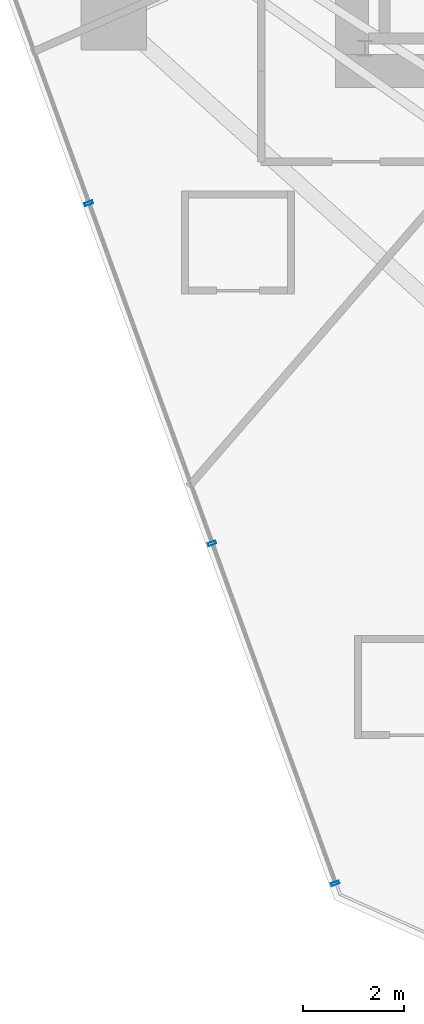
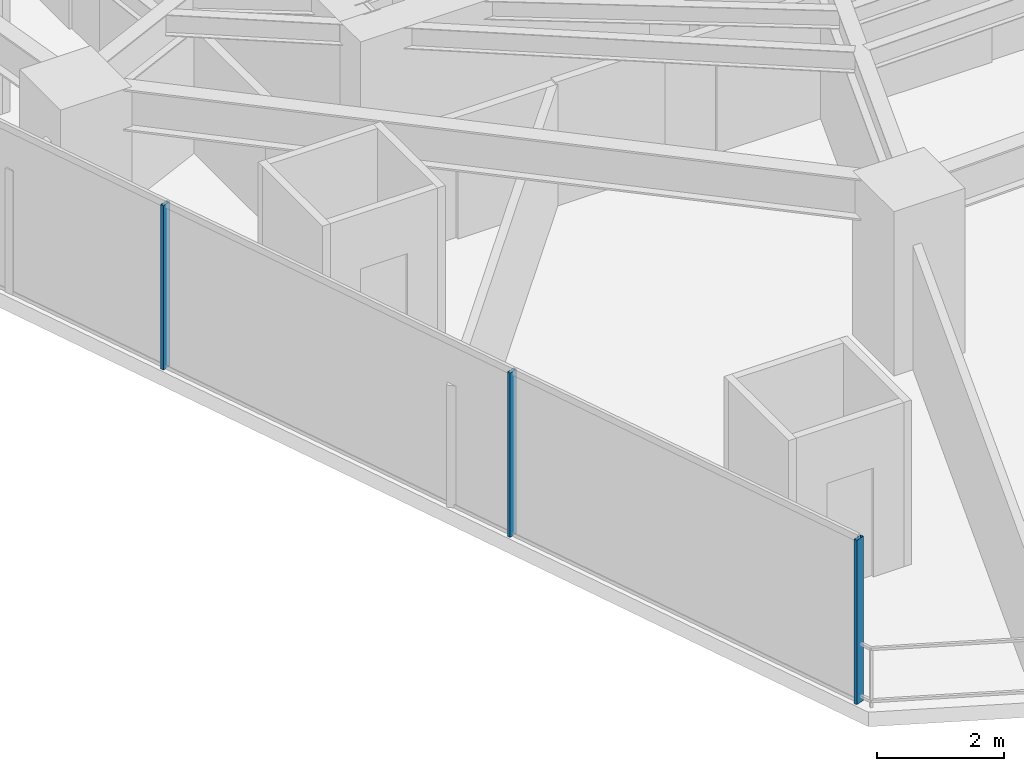
# One storey, part 3 of 33: 3 members, 1 element without a shape of its own.
"""IFC4 building model written with IfcOpenShell, lengths in metres."""

from ifc_helpers import new_model, si_unit, direction, frame, origin, origin_2d, place, context, subcontext, project, spatial, hollow_rectangle, extrude, material, layer, layer_set, material_profile, profile_set, type_object, element, aggregate, save


model = new_model("IFC4")

# Units and contexts
model_context = context("Model", 3, precision=1e-05, world=origin(), true_north=direction((0.0, 1.0)))
body_context = subcontext(model_context, "Body", "Model", "MODEL_VIEW")
ifc_project = project(units=[si_unit("LENGTHUNIT", "METRE"), si_unit("AREAUNIT", "SQUARE_METRE"), si_unit("VOLUMEUNIT", "CUBIC_METRE"), si_unit("PLANEANGLEUNIT", "RADIAN"), si_unit("MASSUNIT", "GRAM", prefix="KILO")], contexts=[model_context])

# Site, building, storey
site_placement = place(None, origin())
site = spatial("IfcSite", under=ifc_project, at=site_placement, CompositionType="ELEMENT")
building_placement = place(site_placement, origin())
building = spatial("IfcBuilding", under=site, at=building_placement, Name="Qarnah Convention Tower", CompositionType="ELEMENT")
storey_placement = place(building_placement, frame((0.0, 0.0, 30.449951171875)))
storey = spatial("IfcBuildingStorey", under=building, at=storey_placement, Name="L06", CompositionType="ELEMENT", Elevation=30.449951171875)

# Curtain wall, members
ifc_material_1 = material(Name="Tempered Low-E dark glass", Category="glass")
ifc_layer = layer(ifc_material_1, 0.16796875)
ifc_layer_set = layer_set([ifc_layer], Name="Tempered Low-E dark glass")
curtain_wall_type = type_object("IfcCurtainWallType", Name="CWS-01", PredefinedType="NOTDEFINED", material=ifc_layer_set)
curtain_wall_placement = place(storey_placement, origin())
curtain_wall = element("IfcCurtainWall", 1, at=curtain_wall_placement, inside=storey, type_object=curtain_wall_type, Name="L06 unitised curtain wall CW-L06-F2", PredefinedType="NOTDEFINED")
ifc_material_2 = material(Name="Black anodised aluminium", Category="aluminium")
ifc_material_profile = material_profile(ifc_material_2, hollow_rectangle(XDim=0.06005859375, YDim=0.159912109375, WallThickness=0.00390625, at=origin_2d()), Name="MUL-60X160")
ifc_profile_set = profile_set([ifc_material_profile], Name="Black anodised aluminium")
member_type = type_object("IfcMemberType", Name="MUL-T1", PredefinedType="MULLION", material=ifc_profile_set)
member_1_placement = place(storey_placement, frame((26.466064453125, 2.512939453125, 0.0), z_axis=(0.0, 0.0, 1.0), x_axis=(-0.340727130958, 0.940162231867, 0.0)))
member_1 = element("IfcMember", 2, at=member_1_placement, type_object=member_type, Name="CW-L06-F2 mullion 1", PredefinedType="MULLION", context=body_context, shape_type="SweptSolid", body=[
    extrude(hollow_rectangle(XDim=0.06005859375, YDim=0.159912109375, WallThickness=0.00390625, at=origin_2d()), origin(), (0.0, 0.0, 1.0), 3.170166015625),
])
member_2_placement = place(storey_placement, frame((24.02587890625, 9.24609375, 0.0), z_axis=(0.0, 0.0, 1.0), x_axis=(-0.340727130958, 0.940162231867, 0.0)))
member_2 = element("IfcMember", 3, at=member_2_placement, type_object=member_type, Name="CW-L06-F2 mullion 2", PredefinedType="MULLION", context=body_context, shape_type="SweptSolid", body=[
    extrude(hollow_rectangle(XDim=0.06005859375, YDim=0.159912109375, WallThickness=0.00390625, at=origin_2d()), origin(), (0.0, 0.0, 1.0), 3.170166015625),
])
member_3_placement = place(storey_placement, frame((21.585693359375, 15.9794921875, 0.0), z_axis=(0.0, 0.0, 1.0), x_axis=(-0.340727130958, 0.940162231867, 0.0)))
member_3 = element("IfcMember", 4, at=member_3_placement, type_object=member_type, Name="CW-L06-F2 mullion 3", PredefinedType="MULLION", context=body_context, shape_type="SweptSolid", body=[
    extrude(hollow_rectangle(XDim=0.06005859375, YDim=0.159912109375, WallThickness=0.00390625, at=origin_2d()), origin(), (0.0, 0.0, 1.0), 3.170166015625),
])
aggregate(curtain_wall, [member_1, member_2, member_3])

save(model, "model.ifc")
